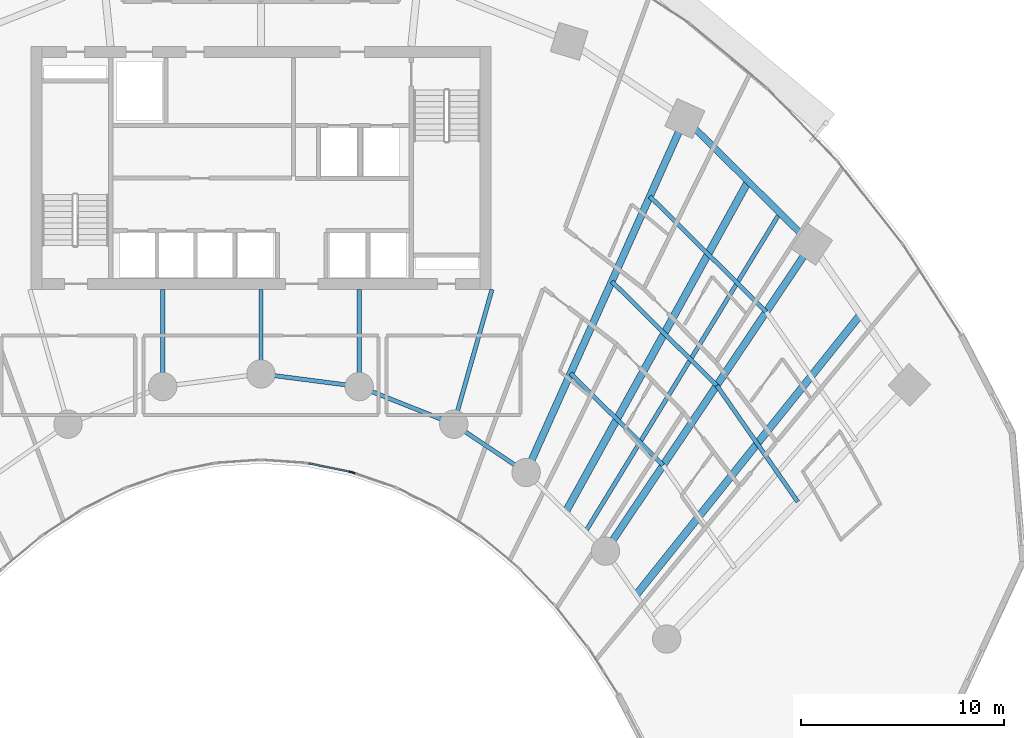
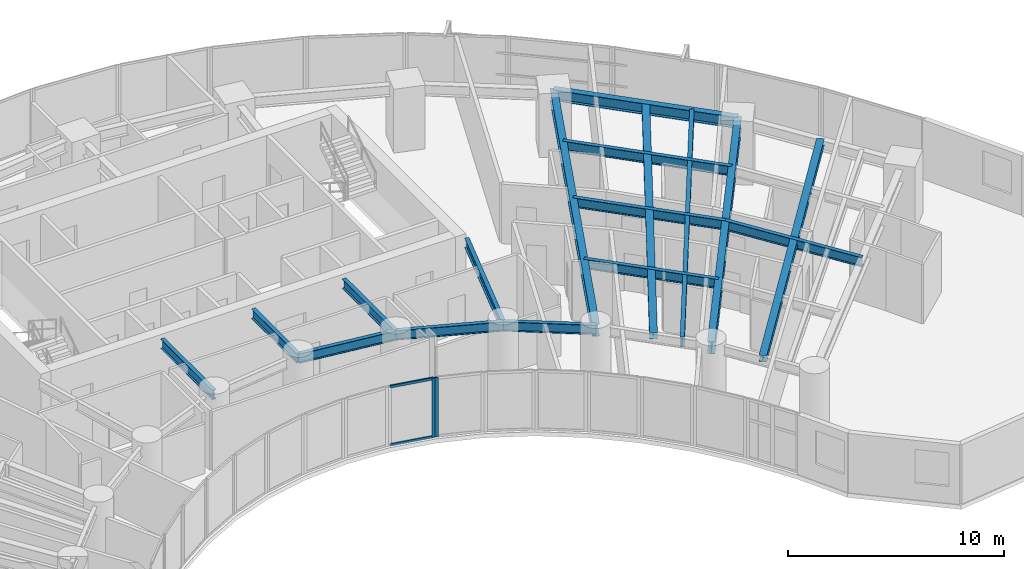
# One storey, part 5 of 18: 17 beams, 4 members, 2 elements without a shape of their own.
"""IFC4 building model written with IfcOpenShell, lengths in metres."""

import ifcopenshell
import ifcopenshell.guid

model = None  # the IFC model being written
_history = None  # IfcOwnerHistory: only IFC2X3 demands one
_inside = {}  # id of a spatial element -> (the spatial element, [elements in it])
_under = {}  # id of a project, library or spatial element -> (it, [spatial elements below it])
_declared = {}  # id of a project -> (the project, [libraries it declares])
_typed = {}  # id of a type object -> (the type object, [elements of that type])
_made_of = {}  # id of a material, layer set ... -> (it, [elements and type objects made of it])


def new_model(schema):
    """Start an empty IFC model of exactly this schema.

    Asked for "IFC4X3", IfcOpenShell would pick the latest addendum, in which some entities
    have other attributes; the version numbers below select the first issue.
    IFC2X3 requires an IfcOwnerHistory on every rooted entity: one is made here for all.
    """
    global model, _history
    if schema == "IFC4X3":
        model = ifcopenshell.file(schema_version=(4, 3, 0, 0))
    else:
        model = ifcopenshell.file(schema=schema)
    _inside.clear()
    _under.clear()
    _declared.clear()
    _typed.clear()
    _made_of.clear()
    _history = None
    if model.schema == "IFC2X3":
        org = make("IfcOrganization", Name="unknown")
        user = make(
            "IfcPersonAndOrganization",
            ThePerson=make("IfcPerson", FamilyName="unknown"),
            TheOrganization=org,
        )
        app = make(
            "IfcApplication",
            ApplicationDeveloper=org,
            Version="unknown",
            ApplicationFullName="unknown",
            ApplicationIdentifier="unknown",
        )
        _history = make(
            "IfcOwnerHistory",
            OwningUser=user,
            OwningApplication=app,
            ChangeAction="ADDED",
            CreationDate=0,
        )
    return model


def make(cls, **values):
    """One entity of the class cls with the attributes given. An attribute that is None is left unset."""
    return model.create_entity(
        cls, **{name: value for name, value in values.items() if value is not None}
    )


def rooted(cls, **values):
    """An entity with a GlobalId (a new one), such as an element, a storey or a relation."""
    return make(cls, GlobalId=ifcopenshell.guid.new(), OwnerHistory=_history, **values)


def si_unit(unit_type, name, prefix=None):
    """IfcSIUnit, for example si_unit("LENGTHUNIT", "METRE", prefix="MILLI")."""
    return make("IfcSIUnit", UnitType=unit_type, Prefix=prefix, Name=name)


def assignment(units):
    """IfcUnitAssignment: the units of a project."""
    return None if units is None else make("IfcUnitAssignment", Units=units)


def point(xyz):
    """IfcCartesianPoint."""
    return None if xyz is None else make("IfcCartesianPoint", Coordinates=xyz)


def direction(xyz):
    """IfcDirection."""
    return None if xyz is None else make("IfcDirection", DirectionRatios=xyz)


def frame(location, z_axis=None, x_axis=None):
    """IfcAxis2Placement3D, a coordinate frame: its origin and axes. An axis left out is left unset."""
    return make(
        "IfcAxis2Placement3D",
        Location=point(location),
        Axis=direction(z_axis),
        RefDirection=direction(x_axis),
    )


def frame_2d(location, x_axis=None):
    """IfcAxis2Placement2D, a coordinate frame in the plane: its origin and x axis."""
    return make(
        "IfcAxis2Placement2D", Location=point(location), RefDirection=direction(x_axis)
    )


def origin():
    """The frame at (0, 0, 0) with its axes left unset."""
    return frame((0.0, 0.0, 0.0))


def origin_2d():
    """The frame at (0, 0) in the plane with its x axis left unset."""
    return frame_2d((0.0, 0.0))


def place(relative_to, where):
    """IfcLocalPlacement: puts the frame where relative to a parent placement (None: the world)."""
    return make(
        "IfcLocalPlacement", PlacementRelTo=relative_to, RelativePlacement=where
    )


def context(
    kind, dimensions, precision=None, world=None, true_north=None, identifier=None
):
    """IfcGeometricRepresentationContext, for example the 3D "Model" context."""
    return make(
        "IfcGeometricRepresentationContext",
        ContextIdentifier=identifier,
        ContextType=kind,
        CoordinateSpaceDimension=dimensions,
        Precision=precision,
        WorldCoordinateSystem=world,
        TrueNorth=true_north,
    )


def subcontext(parent, identifier, kind, view, scale=None):
    """IfcGeometricRepresentationSubContext, for example "Body" below "Model"."""
    return make(
        "IfcGeometricRepresentationSubContext",
        ContextIdentifier=identifier,
        ContextType=kind,
        ParentContext=parent,
        TargetScale=scale,
        TargetView=view,
    )


def project(units=None, contexts=None):
    """IfcProject with its units and contexts."""
    return rooted(
        "IfcProject",
        Name="project",
        RepresentationContexts=contexts,
        UnitsInContext=assignment(units),
    )


def spatial(cls, under=None, at=None, **own):
    """A site, building, storey or space (cls), placed at a placement, below another one or the project."""
    s = rooted(cls, ObjectPlacement=at, **own)
    if under is not None:
        _under.setdefault(under.id(), (under, []))[1].append(s)
    return s


def profile(cls, at=None, kind="AREA", **sizes):
    """A parametric profile (cls). Its sizes go by their IFC names, for example OverallWidth=200.0."""
    return make(cls, ProfileType=kind, Position=at, **sizes)


def rectangle(**sizes):
    """IfcRectangleProfileDef."""
    return profile("IfcRectangleProfileDef", **sizes)


def i_section(**sizes):
    """IfcIShapeProfileDef."""
    return profile("IfcIShapeProfileDef", **sizes)


def extrude(swept, where, along, depth):
    """IfcExtrudedAreaSolid: the profile swept, set in the frame where, extruded along a direction by depth."""
    return make(
        "IfcExtrudedAreaSolid",
        SweptArea=swept,
        Position=where,
        ExtrudedDirection=direction(along),
        Depth=depth,
    )


def shape(context_of_items, identifier, shape_type, items):
    """IfcShapeRepresentation: the items that make up one representation, for example the "Body"."""
    return make(
        "IfcShapeRepresentation",
        ContextOfItems=context_of_items,
        RepresentationIdentifier=identifier,
        RepresentationType=shape_type,
        Items=items,
    )


def source(mapping_origin, context_of_items, identifier, shape_type, items):
    """IfcRepresentationMap: a shape defined once, which mapped items show again and again."""
    return make(
        "IfcRepresentationMap",
        MappingOrigin=mapping_origin,
        MappedRepresentation=shape(context_of_items, identifier, shape_type, items),
    )


def transform(
    local_origin,
    x_axis=None,
    y_axis=None,
    z_axis=None,
    scale=None,
    scale2=None,
    scale3=None,
    uniform=True,
):
    """IfcCartesianTransformationOperator3D, or its non-uniform kind. x_axis, y_axis, z_axis: its Axis1, 2, 3."""
    if uniform:
        return make(
            "IfcCartesianTransformationOperator3D",
            Axis1=direction(x_axis),
            Axis2=direction(y_axis),
            LocalOrigin=point(local_origin),
            Scale=scale,
            Axis3=direction(z_axis),
        )
    return make(
        "IfcCartesianTransformationOperator3DnonUniform",
        Axis1=direction(x_axis),
        Axis2=direction(y_axis),
        LocalOrigin=point(local_origin),
        Scale=scale,
        Axis3=direction(z_axis),
        Scale2=scale2,
        Scale3=scale3,
    )


def mapped(mapping_source, mapping_target):
    """IfcMappedItem: shows the shape of a source again, moved by a transform."""
    return make(
        "IfcMappedItem", MappingSource=mapping_source, MappingTarget=mapping_target
    )


def material(Name=None, Category=None):
    """IfcMaterial."""
    return make("IfcMaterial", Name=Name, Category=Category)


def layer(
    of_material, thickness, ventilated=None, Name=None, Category=None, Priority=None
):
    """IfcMaterialLayer: one layer of a wall or slab, of a material (None: an air gap)."""
    return make(
        "IfcMaterialLayer",
        Material=of_material,
        LayerThickness=thickness,
        IsVentilated=ventilated,
        Name=Name,
        Category=Category,
        Priority=Priority,
    )


def layer_set(layers, Name=None):
    """IfcMaterialLayerSet."""
    return make("IfcMaterialLayerSet", MaterialLayers=layers, LayerSetName=Name)


def material_profile(
    of_material, cross_section, Name=None, Category=None, Priority=None
):
    """IfcMaterialProfile: a cross section and its material."""
    return make(
        "IfcMaterialProfile",
        Name=Name,
        Material=of_material,
        Profile=cross_section,
        Priority=Priority,
        Category=Category,
    )


def profile_set(profiles, Name=None, composite=None):
    """IfcMaterialProfileSet."""
    return make(
        "IfcMaterialProfileSet",
        Name=Name,
        MaterialProfiles=profiles,
        CompositeProfile=composite,
    )


def made_of(thing, what):
    """Note that an element or type object is made of a material, layer set ...; save() writes the relation."""
    if what is not None:
        _made_of.setdefault(what.id(), (what, []))[1].append(thing)
    return thing


def type_object(cls, material=None, **own):
    """A type object (cls), such as IfcWallType, which elements share."""
    return made_of(rooted(cls, **own), material)


def type_shapes(of_type, sources):
    """Give a type object the sources (RepresentationMaps) that its elements show as mapped items."""
    of_type.RepresentationMaps = sources


def element(
    cls,
    number,
    at=None,
    inside=None,
    cuts=None,
    type_object=None,
    material=None,
    context=None,
    identifier="Body",
    shape_type=None,
    held_by="IfcProductDefinitionShape",
    body=None,
    shapes=None,
    **own,
):
    """One element of the class cls, such as IfcWall. Its Tag is "e" and its number.

    at: its placement. inside: the storey or other place that contains it. cuts: it is an
    opening in that element (IfcRelVoidsElement). A single representation is given by context,
    identifier, shape_type and body (its items); several are given by shapes. held_by: the class
    of the entity that holds the representations. save() writes the other relations.
    """
    e = rooted(cls, Tag="e%d" % number, ObjectPlacement=at, **own)
    if body is not None:
        shapes = [shape(context, identifier, shape_type, body)]
    if shapes is not None:
        e.Representation = make(held_by, Representations=shapes)
    if inside is not None:
        _inside.setdefault(inside.id(), (inside, []))[1].append(e)
    if cuts is not None:
        rooted(
            "IfcRelVoidsElement", RelatingBuildingElement=cuts, RelatedOpeningElement=e
        )
    if type_object is not None:
        _typed.setdefault(type_object.id(), (type_object, []))[1].append(e)
    return made_of(e, material)


def aggregate(whole, parts):
    """IfcRelAggregates: a whole, such as a stair, and the parts it consists of."""
    return rooted("IfcRelAggregates", RelatingObject=whole, RelatedObjects=parts)


def save(model, path):
    """Write the relations noted so far, then the file.

    IfcRelAggregates (storeys below a building ...), IfcRelContainedInSpatialStructure (elements
    in a storey), IfcRelDefinesByType, IfcRelAssociatesMaterial and IfcRelDeclares: one each for
    every whole, place, type object, material and project.
    """
    for whole, parts in _under.values():
        aggregate(whole, parts)
    for where, things in _inside.values():
        rooted(
            "IfcRelContainedInSpatialStructure",
            RelatedElements=things,
            RelatingStructure=where,
        )
    for kind, things in _typed.values():
        rooted("IfcRelDefinesByType", RelatedObjects=things, RelatingType=kind)
    for what, things in _made_of.values():
        rooted("IfcRelAssociatesMaterial", RelatedObjects=things, RelatingMaterial=what)
    for by, libraries in _declared.values():
        rooted("IfcRelDeclares", RelatingContext=by, RelatedDefinitions=libraries)
    model.write(path)


model = new_model("IFC4")

# Units and contexts
model_context = context("Model", 3, precision=1e-05, world=origin(), true_north=direction((0.0, 1.0)))
body_context = subcontext(model_context, "Body", "Model", "MODEL_VIEW")
ifc_project = project(units=[si_unit("LENGTHUNIT", "METRE"), si_unit("AREAUNIT", "SQUARE_METRE"), si_unit("VOLUMEUNIT", "CUBIC_METRE"), si_unit("PLANEANGLEUNIT", "RADIAN"), si_unit("MASSUNIT", "GRAM", prefix="KILO")], contexts=[model_context])

# Site, building, storey
site_placement = place(None, origin())
site = spatial("IfcSite", under=ifc_project, at=site_placement, CompositionType="ELEMENT")
building_placement = place(site_placement, origin())
building = spatial("IfcBuilding", under=site, at=building_placement, Name="Breltana Convention Tower", CompositionType="ELEMENT")
storey_placement = place(building_placement, frame((0.0, 0.0, 39.0)))
storey = spatial("IfcBuildingStorey", under=building, at=storey_placement, Name="L07", CompositionType="ELEMENT", Elevation=39.0)

# Beams
ifc_material_1 = material(Name="Steel ASTM A992 Grade 50", Category="steel")
ifc_material_profile_1 = material_profile(ifc_material_1, i_section(OverallWidth=0.323974609375, OverallDepth=0.611083984375, WebThickness=0.0126953125, FlangeThickness=0.01904296875, at=origin_2d()), Name="W24X104")
ifc_profile_set_1 = profile_set([ifc_material_profile_1], Name="Steel ASTM A992 Grade 50")
beam_type_1 = type_object("IfcBeamType", Name="BM-SP-W24X104", PredefinedType="SPANDREL", material=ifc_profile_set_1)
shared_shape_1 = source(origin(), body_context, "Body", "SweptSolid", [
    extrude(i_section(OverallWidth=0.323974609375, OverallDepth=0.611083984375, WebThickness=0.0126953125, FlangeThickness=0.01904296875, at=origin_2d()), origin(), (0.0, 0.0, 1.0), 8.810302734375),
])
beam_1_placement = place(storey_placement, frame((68.910400390625, 68.63330078125, 3.054443359375), z_axis=(0.710120823582, -0.704079836322, 0.0), x_axis=(0.704079836322, 0.710120823582, 0.0)))
element("IfcBeam", 1, at=beam_1_placement, inside=storey, type_object=beam_type_1, Name="L07 Outer Spandrel Beam 09", PredefinedType="SPANDREL", context=body_context, shape_type="MappedRepresentation", body=[
    mapped(shared_shape_1, transform((0.0, 0.0, 0.0), scale=1.0)),
])
ifc_material_profile_2 = material_profile(ifc_material_1, i_section(OverallWidth=0.2099609375, OverallDepth=0.537109375, WebThickness=0.010986328125, FlangeThickness=0.017333984375, at=origin_2d()), Name="W21X68")
ifc_profile_set_2 = profile_set([ifc_material_profile_2], Name="Steel ASTM A992 Grade 50")
beam_type_2 = type_object("IfcBeamType", Name="BM-BM-W21X68", PredefinedType="BEAM", material=ifc_profile_set_2)
shared_shape_2 = source(origin(), body_context, "Body", "SweptSolid", [
    extrude(i_section(OverallWidth=0.2099609375, OverallDepth=0.537109375, WebThickness=0.010986328125, FlangeThickness=0.017333984375, at=origin_2d()), origin(), (0.0, 0.0, 1.0), 6.904541015625),
])
type_shapes(beam_type_2, [shared_shape_2])
beam_2_placement = place(storey_placement, frame((59.39990234375, 60.199951171875, 3.091552734375), z_axis=(-0.273006781054, -0.962012108811, 0.0), x_axis=(0.962012108811, -0.273006781054, 0.0)))
element("IfcBeam", 2, at=beam_2_placement, inside=storey, type_object=beam_type_2, Name="L07 South Core Tie Girder R08", PredefinedType="BEAM", context=body_context, shape_type="MappedRepresentation", body=[
    mapped(shared_shape_2, transform((0.0, 0.0, 0.0), scale=1.0)),
])
shared_shape_3 = source(origin(), body_context, "Body", "SweptSolid", [
    extrude(i_section(OverallWidth=0.2099609375, OverallDepth=0.537109375, WebThickness=0.010986328125, FlangeThickness=0.017333984375, at=origin_2d()), origin(), (0.0, 0.0, 1.0), 4.789306640625),
])
for number, where, z_axis, x_axis, name in (
    (3, (43.153564453125, 60.199951171875, 3.091552734375), (0.0, -1.0, 0.0), (1.0, 0.0, 0.0), "L07 South Core Tie Girder R05"),
    (4, (52.846435546875, 60.199951171875, 3.091552734375), (0.0, -1.0, 0.0), (1.0, 0.0, 0.0), "L07 South Core Tie Girder R07"),
):
    element("IfcBeam", number, at=place(storey_placement, frame(where, z_axis=z_axis, x_axis=x_axis)), inside=storey, type_object=beam_type_2, Name=name, PredefinedType="BEAM", context=body_context, shape_type="MappedRepresentation", body=[
        mapped(shared_shape_3, transform((0.0, 0.0, 0.0), scale=1.0)),
    ])
shared_shape_4 = source(origin(), body_context, "Body", "SweptSolid", [
    extrude(i_section(OverallWidth=0.2099609375, OverallDepth=0.537109375, WebThickness=0.010986328125, FlangeThickness=0.017333984375, at=origin_2d()), origin(), (0.0, 0.0, 1.0), 4.1640625),
])
beam_3_placement = place(storey_placement, frame((48.0, 60.199951171875, 3.091552734375), z_axis=(0.0, -1.0, 0.0), x_axis=(1.0, 0.0, 0.0)))
element("IfcBeam", 5, at=beam_3_placement, inside=storey, type_object=beam_type_2, Name="L07 South Core Tie Girder R06", PredefinedType="BEAM", context=body_context, shape_type="MappedRepresentation", body=[
    mapped(shared_shape_4, transform((0.0, 0.0, 0.0), scale=1.0)),
])
ifc_material_profile_3 = material_profile(ifc_material_1, i_section(OverallWidth=0.35498046875, OverallDepth=0.696044921875, WebThickness=0.015380859375, FlangeThickness=0.02490234375, at=origin_2d()), Name="W27X146")
ifc_profile_set_3 = profile_set([ifc_material_profile_3], Name="Steel ASTM A992 Grade 50")
beam_type_3 = type_object("IfcBeamType", Name="BM-RG-W27X146", PredefinedType="USERDEFINED", material=ifc_profile_set_3)
shared_shape_5 = source(origin(), body_context, "Body", "SweptSolid", [
    extrude(i_section(OverallWidth=0.35498046875, OverallDepth=0.696044921875, WebThickness=0.015380859375, FlangeThickness=0.02490234375, at=origin_2d()), origin(), (0.0, 0.0, 1.0), 19.133544921875),
])
beam_4_placement = place(storey_placement, frame((61.08203125, 51.174560546875, 3.011962890625), z_axis=(0.409144564164, 0.912469575172, 0.0), x_axis=(-0.912469575172, 0.409144564164, 0.0)))
element("IfcBeam", 6, at=beam_4_placement, inside=storey, type_object=beam_type_3, Name="L07 Radial Floor Girder R09", ObjectType="GIRDER", PredefinedType="USERDEFINED", context=body_context, shape_type="MappedRepresentation", body=[
    mapped(shared_shape_5, transform((0.0, 0.0, 0.0), scale=1.0)),
])
shared_shape_6 = source(origin(), body_context, "Body", "SweptSolid", [
    extrude(i_section(OverallWidth=0.35498046875, OverallDepth=0.696044921875, WebThickness=0.015380859375, FlangeThickness=0.02490234375, at=origin_2d()), origin(), (0.0, 0.0, 1.0), 18.236328125),
])
beam_5_placement = place(storey_placement, frame((64.995849609375, 47.293701171875, 3.011962890625), z_axis=(0.557730360975, 0.830022195153, 0.0), x_axis=(-0.830022195153, 0.557730360975, 0.0)))
element("IfcBeam", 7, at=beam_5_placement, inside=storey, type_object=beam_type_3, Name="L07 Radial Floor Girder R10", ObjectType="GIRDER", PredefinedType="USERDEFINED", context=body_context, shape_type="MappedRepresentation", body=[
    mapped(shared_shape_6, transform((0.0, 0.0, 0.0), scale=1.0)),
])
shared_shape_7 = source(origin(), body_context, "Body", "SweptSolid", [
    extrude(i_section(OverallWidth=0.2099609375, OverallDepth=0.537109375, WebThickness=0.010986328125, FlangeThickness=0.017333984375, at=origin_2d()), origin(), (0.0, 0.0, 1.0), 5.022705078125),
])
beam_6_placement = place(storey_placement, frame((52.846435546875, 55.41064453125, 3.091552734375), z_axis=(0.929458966248, -0.368925507469, 0.0), x_axis=(0.368925507469, 0.929458966248, 0.0)))
element("IfcBeam", 8, at=beam_6_placement, inside=storey, type_object=beam_type_2, Name="L07 Inner Ring Beam 07", PredefinedType="BEAM", context=body_context, shape_type="MappedRepresentation", body=[
    mapped(shared_shape_7, transform((0.0, 0.0, 0.0), scale=1.0)),
])
shared_shape_8 = source(origin(), body_context, "Body", "SweptSolid", [
    extrude(i_section(OverallWidth=0.2099609375, OverallDepth=0.537109375, WebThickness=0.010986328125, FlangeThickness=0.017333984375, at=origin_2d()), origin(), (0.0, 0.0, 1.0), 4.88671875),
])
beam_7_placement = place(storey_placement, frame((48.0, 56.035888671875, 3.091552734375), z_axis=(0.991780525565, -0.127950729231, 0.0), x_axis=(0.127950729231, 0.991780525565, 0.0)))
element("IfcBeam", 9, at=beam_7_placement, inside=storey, type_object=beam_type_2, Name="L07 Inner Ring Beam 06", PredefinedType="BEAM", context=body_context, shape_type="MappedRepresentation", body=[
    mapped(shared_shape_8, transform((0.0, 0.0, 0.0), scale=1.0)),
])
shared_shape_9 = source(origin(), body_context, "Body", "SweptSolid", [
    extrude(i_section(OverallWidth=0.2099609375, OverallDepth=0.537109375, WebThickness=0.010986328125, FlangeThickness=0.017333984375, at=origin_2d()), origin(), (0.0, 0.0, 1.0), 4.2900390625),
])
beam_8_placement = place(storey_placement, frame((57.514892578125, 53.5576171875, 3.091552734375), z_axis=(0.831515827753, -0.555501060482, 0.0), x_axis=(0.555501060482, 0.831515827753, 0.0)))
element("IfcBeam", 10, at=beam_8_placement, inside=storey, type_object=beam_type_2, Name="L07 Inner Ring Beam 08", PredefinedType="BEAM", context=body_context, shape_type="MappedRepresentation", body=[
    mapped(shared_shape_9, transform((0.0, 0.0, 0.0), scale=1.0)),
])
ifc_material_profile_4 = material_profile(ifc_material_1, i_section(OverallWidth=0.2099609375, OverallDepth=0.537109375, WebThickness=0.010986328125, FlangeThickness=0.017333984375, at=origin_2d()), Name="W21X68")
ifc_profile_set_4 = profile_set([ifc_material_profile_4], Name="Steel ASTM A992 Grade 50")
beam_type_4 = type_object("IfcBeamType", Name="BM-JSG-04", PredefinedType="JOIST", material=ifc_profile_set_4)
shared_shape_10 = source(origin(), body_context, "Body", "SweptSolid", [
    extrude(i_section(OverallWidth=0.2099609375, OverallDepth=0.537109375, WebThickness=0.010986328125, FlangeThickness=0.017333984375, at=origin_2d()), origin(), (0.0, 0.0, 1.0), 6.435302734375),
])
beam_9_placement = place(storey_placement, frame((63.27392578125, 56.06298828125, 3.091552734375), z_axis=(0.710116389828, -0.704084308089, 0.0), x_axis=(0.704084308089, 0.710116389828, 0.0)))
element("IfcBeam", 11, at=beam_9_placement, inside=storey, type_object=beam_type_4, Name="L07 Composite Floor Joist 09.1", PredefinedType="JOIST", context=body_context, shape_type="MappedRepresentation", body=[
    mapped(shared_shape_10, transform((0.0, 0.0, 0.0), scale=1.0)),
])
shared_shape_11 = source(origin(), body_context, "Body", "SweptSolid", [
    extrude(i_section(OverallWidth=0.2099609375, OverallDepth=0.537109375, WebThickness=0.010986328125, FlangeThickness=0.017333984375, at=origin_2d()), origin(), (0.0, 0.0, 1.0), 7.29296875),
])
beam_10_placement = place(storey_placement, frame((65.309326171875, 60.602294921875, 3.091552734375), z_axis=(0.710096551013, -0.704104316305, 0.0), x_axis=(0.704104316305, 0.710096551013, 0.0)))
element("IfcBeam", 12, at=beam_10_placement, inside=storey, type_object=beam_type_4, Name="L07 Composite Floor Joist 09.2", PredefinedType="JOIST", context=body_context, shape_type="MappedRepresentation", body=[
    mapped(shared_shape_11, transform((0.0, 0.0, 0.0), scale=1.0)),
])
shared_shape_12 = source(origin(), body_context, "Body", "SweptSolid", [
    extrude(i_section(OverallWidth=0.2099609375, OverallDepth=0.537109375, WebThickness=0.010986328125, FlangeThickness=0.017333984375, at=origin_2d()), origin(), (0.0, 0.0, 1.0), 8.084716796875),
])
beam_11_placement = place(storey_placement, frame((67.188232421875, 64.79248046875, 3.091552734375), z_axis=(0.710105094548, -0.704095699956, 0.0), x_axis=(0.704095699956, 0.710105094548, 0.0)))
element("IfcBeam", 13, at=beam_11_placement, inside=storey, type_object=beam_type_4, Name="L07 Composite Floor Joist 09.3", PredefinedType="JOIST", context=body_context, shape_type="MappedRepresentation", body=[
    mapped(shared_shape_12, transform((0.0, 0.0, 0.0), scale=1.0)),
])
ifc_material_profile_5 = material_profile(ifc_material_1, i_section(OverallWidth=0.368896484375, OverallDepth=0.35595703125, WebThickness=0.01123046875, FlangeThickness=0.01806640625, at=origin_2d()), Name="W14X90")
ifc_profile_set_5 = profile_set([ifc_material_profile_5], Name="Steel ASTM A992 Grade 50")
beam_type_5 = type_object("IfcBeamType", Name="BM-JSG-09", PredefinedType="JOIST", material=ifc_profile_set_5)
shared_shape_13 = source(origin(), body_context, "Body", "SweptSolid", [
    extrude(i_section(OverallWidth=0.368896484375, OverallDepth=0.35595703125, WebThickness=0.01123046875, FlangeThickness=0.01806640625, at=origin_2d()), origin(), (0.0, 0.0, 1.0), 18.617431640625),
])
beam_12_placement = place(storey_placement, frame((63.038818359375, 49.234130859375, 3.181884765625), z_axis=(0.483405602507, 0.875396495004, 0.0), x_axis=(-0.875396495004, 0.483405602507, 0.0)))
element("IfcBeam", 14, at=beam_12_placement, inside=storey, type_object=beam_type_5, Name="L07 Mid-Bay Radial Trimmer 09", PredefinedType="JOIST", context=body_context, shape_type="MappedRepresentation", body=[
    mapped(shared_shape_13, transform((0.0, 0.0, 0.0), scale=1.0)),
])
shared_shape_14 = source(origin(), body_context, "Body", "SweptSolid", [
    extrude(i_section(OverallWidth=0.2099609375, OverallDepth=0.537109375, WebThickness=0.010986328125, FlangeThickness=0.017333984375, at=origin_2d()), origin(), (0.0, 0.0, 1.0), 18.409423828125),
])
beam_13_placement = place(storey_placement, frame((64.017333984375, 48.263916015625, 3.091552734375), z_axis=(0.520682167606, 0.853750596098, 0.0), x_axis=(-0.853750596098, 0.520682167606, 0.0)))
element("IfcBeam", 15, at=beam_13_placement, inside=storey, type_object=beam_type_4, Name="L07 Quarter-Bay Radial Trimmer 09", PredefinedType="JOIST", context=body_context, shape_type="MappedRepresentation", body=[
    mapped(shared_shape_14, transform((0.0, 0.0, 0.0), scale=1.0)),
])
shared_shape_15 = source(origin(), body_context, "Body", "SweptSolid", [
    extrude(i_section(OverallWidth=0.2099609375, OverallDepth=0.537109375, WebThickness=0.010986328125, FlangeThickness=0.017333984375, at=origin_2d()), origin(), (0.0, 0.0, 1.0), 6.99462890625),
])
beam_14_placement = place(storey_placement, frame((70.488037109375, 55.46728515625, 3.091552734375), z_axis=(0.571206630732, -0.820806301759, 0.0), x_axis=(0.820806301759, 0.571206630732, 0.0)))
element("IfcBeam", 16, at=beam_14_placement, inside=storey, type_object=beam_type_4, Name="L07 Composite Floor Joist 10.2", PredefinedType="JOIST", context=body_context, shape_type="MappedRepresentation", body=[
    mapped(shared_shape_15, transform((0.0, 0.0, 0.0), scale=1.0)),
])
shared_shape_16 = source(origin(), body_context, "Body", "SweptSolid", [
    extrude(i_section(OverallWidth=0.368896484375, OverallDepth=0.35595703125, WebThickness=0.01123046875, FlangeThickness=0.01806640625, at=origin_2d()), origin(), (0.0, 0.0, 1.0), 17.7236328125),
])
beam_15_placement = place(storey_placement, frame((66.505615234375, 45.124267578125, 3.181884765625), z_axis=(0.624829427563, 0.78076128647, 0.0), x_axis=(-0.78076128647, 0.624829427563, 0.0)))
element("IfcBeam", 17, at=beam_15_placement, inside=storey, type_object=beam_type_5, Name="L07 Mid-Bay Radial Trimmer 10", PredefinedType="JOIST", context=body_context, shape_type="MappedRepresentation", body=[
    mapped(shared_shape_16, transform((0.0, 0.0, 0.0), scale=1.0)),
])

# Curtain wall, member
ifc_material_2 = material(Name="Aluminium Anodised Bronze Frame", Category="aluminium")
ifc_layer = layer(ifc_material_2, 0.18994140625, Name="Aluminium Anodised Bronze Frame")
ifc_layer_set = layer_set([ifc_layer], Name="Aluminium Anodised Bronze Frame")
curtain_wall_type = type_object("IfcCurtainWallType", Name="CW-SYS-1", PredefinedType="NOTDEFINED", material=ifc_layer_set)
curtain_wall_1_placement = place(storey_placement, origin())
curtain_wall_1 = element("IfcCurtainWall", 18, at=curtain_wall_1_placement, inside=storey, type_object=curtain_wall_type, Name="L07 inner south-court glazing 7", PredefinedType="NOTDEFINED")
ifc_material_3 = material(Name="Aluminium Anodised Bronze", Category="aluminium")
ifc_material_profile_6 = material_profile(ifc_material_3, rectangle(XDim=0.080078125, YDim=0.199951171875, at=origin_2d()), Name="CWM-80X200")
ifc_profile_set_6 = profile_set([ifc_material_profile_6], Name="Aluminium Anodised Bronze")
member_type_1 = type_object("IfcMemberType", Name="CWM-200", PredefinedType="MULLION", material=ifc_profile_set_6)
shared_shape_17 = source(origin(), body_context, "Body", "SweptSolid", [
    extrude(rectangle(XDim=0.080078125, YDim=0.199951171875, at=origin_2d()), origin(), (0.0, 0.0, 1.0), 3.360107421875),
])
member_1_placement = place(storey_placement, frame((52.54052734375, 51.166015625, 0.0), z_axis=(0.0, 0.0, 1.0), x_axis=(-0.327413341714, -0.944881211406, 0.0)))
member_1 = element("IfcMember", 19, at=member_1_placement, type_object=member_type_1, Name="CW-01 mullion 2", PredefinedType="MULLION", context=body_context, shape_type="MappedRepresentation", body=[
    mapped(shared_shape_17, transform((0.0, 0.0, 0.0), scale=1.0)),
])
aggregate(curtain_wall_1, [member_1])

# Curtain wall, members
curtain_wall_2_placement = place(storey_placement, origin())
curtain_wall_2 = element("IfcCurtainWall", 20, at=curtain_wall_2_placement, inside=storey, type_object=curtain_wall_type, Name="L07 inner south-court glazing 8", PredefinedType="NOTDEFINED")
member_2_placement = place(storey_placement, frame((52.44091796875, 51.193359375, 0.0), z_axis=(0.0, 0.0, 1.0), x_axis=(-0.200886350278, -0.97961455393, 0.0)))
member_2 = element("IfcMember", 21, at=member_2_placement, type_object=member_type_1, Name="CW-01 mullion 1", PredefinedType="MULLION", context=body_context, shape_type="MappedRepresentation", body=[
    mapped(shared_shape_17, transform((0.0, 0.0, 0.0), scale=1.0)),
])
ifc_material_profile_7 = material_profile(ifc_material_3, rectangle(XDim=0.080078125, YDim=0.139892578125, at=origin_2d()), Name="CWT-80X140")
ifc_profile_set_7 = profile_set([ifc_material_profile_7], Name="Aluminium Anodised Bronze")
member_type_2 = type_object("IfcMemberType", Name="CWT-140", PredefinedType="USERDEFINED", material=ifc_profile_set_7)
shared_shape_18 = source(origin(), body_context, "Body", "SweptSolid", [
    extrude(rectangle(XDim=0.080078125, YDim=0.139892578125, at=origin_2d()), origin(), (0.0, 0.0, 1.0), 2.096435546875),
])
member_3_placement = place(storey_placement, frame((52.401611328125, 51.201416015625, 0.0400390625), z_axis=(-0.979615042233, 0.200883969074, 0.0), x_axis=(-0.200883969074, -0.979615042233, 0.0)))
member_3 = element("IfcMember", 22, at=member_3_placement, type_object=member_type_2, Name="CW-01 transom 1.1", ObjectType="TRANSOM", PredefinedType="USERDEFINED", context=body_context, shape_type="MappedRepresentation", body=[
    mapped(shared_shape_18, transform((0.0, 0.0, 0.0), scale=1.0)),
])
member_4_placement = place(storey_placement, frame((52.401611328125, 51.201416015625, 3.320068359375), z_axis=(-0.979615042233, 0.200883969074, 0.0), x_axis=(-0.200883969074, -0.979615042233, 0.0)))
member_4 = element("IfcMember", 23, at=member_4_placement, type_object=member_type_2, Name="CW-01 transom 1.2", ObjectType="TRANSOM", PredefinedType="USERDEFINED", context=body_context, shape_type="MappedRepresentation", body=[
    mapped(shared_shape_18, transform((0.0, 0.0, 0.0), scale=1.0)),
])
aggregate(curtain_wall_2, [member_2, member_3, member_4])

save(model, "model.ifc")
